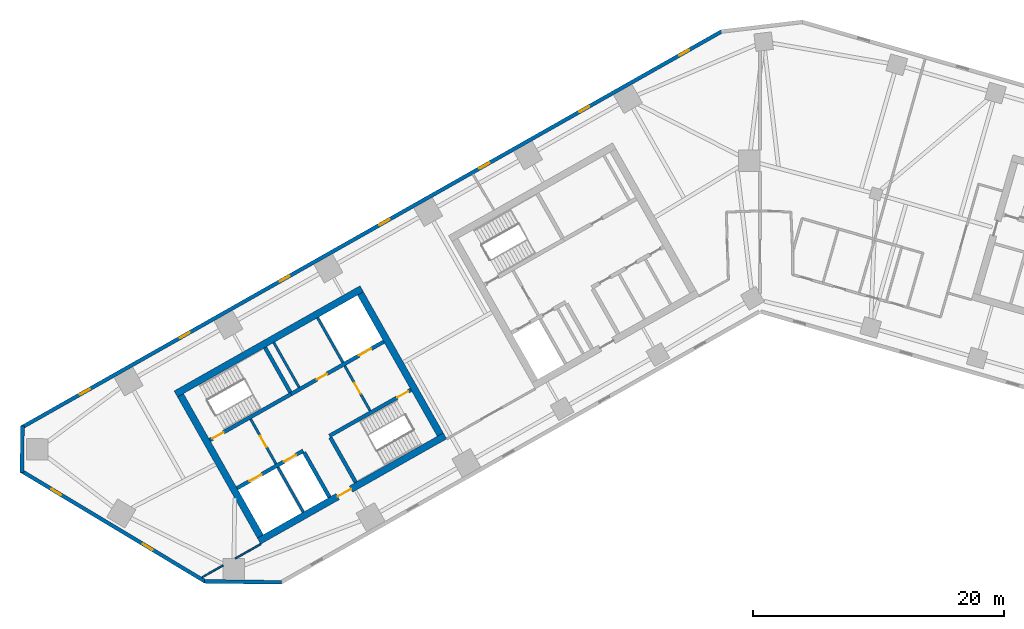
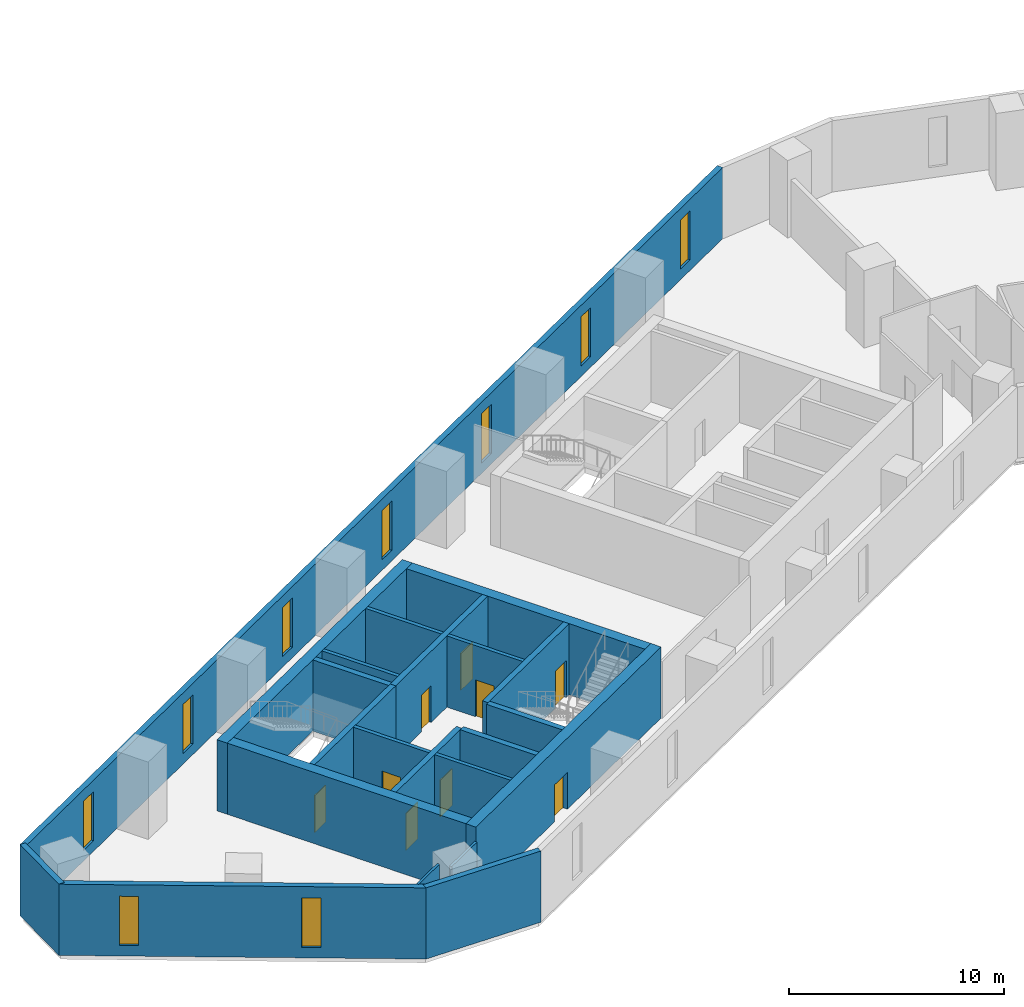
# One storey, part 3 of 10: 22 walls, 9 doors, 9 windows, 18 openings.
"""IFC4 building model written with IfcOpenShell, lengths in metres."""

from ifc_helpers import new_model, si_unit, direction, frame, frame_2d, origin, place, context, subcontext, project, spatial, rectangle, extrude, material, layer, layer_set, type_object, element, fill, save


model = new_model("IFC4")

# Units and contexts
model_context = context("Model", 3, precision=1e-05, world=origin(), true_north=direction((0.0, 1.0)))
body_context = subcontext(model_context, "Body", "Model", "MODEL_VIEW")
ifc_project = project(units=[si_unit("LENGTHUNIT", "METRE"), si_unit("AREAUNIT", "SQUARE_METRE"), si_unit("VOLUMEUNIT", "CUBIC_METRE"), si_unit("PLANEANGLEUNIT", "RADIAN"), si_unit("MASSUNIT", "GRAM", prefix="KILO")], contexts=[model_context])

# Site, building, storey
site_placement = place(None, origin())
site = spatial("IfcSite", under=ifc_project, at=site_placement, CompositionType="ELEMENT")
building_placement = place(site_placement, origin())
building = spatial("IfcBuilding", under=site, at=building_placement, Name="Binnacle Exchange Tower", CompositionType="ELEMENT")
storey_placement = place(building_placement, frame((0.0, 0.0, 145.5)))
storey = spatial("IfcBuildingStorey", under=building, at=storey_placement, Name="L30", CompositionType="ELEMENT", Elevation=145.5)

# Wall, openings, doors
ifc_material_1 = material(Name="Concrete C70/85", Category="concrete")
ifc_layer_1 = layer(ifc_material_1, 0.300048828125)
ifc_layer_set_1 = layer_set([ifc_layer_1], Name="Core wall - front 300")
wall_type_1 = type_object("IfcWallType", Name="Core wall - front 300", PredefinedType="SOLIDWALL", material=ifc_layer_set_1)
wall_1_placement = place(storey_placement, frame((-41.599609375, 33.936279296875, 0.0), z_axis=(0.0, 0.0, 1.0), x_axis=(0.870348557882, 0.492436176365, 0.0)))
wall_1 = element("IfcWall", 1, at=wall_1_placement, inside=storey, type_object=wall_type_1, Name="Core wall CRWA2", PredefinedType="SOLIDWALL", context=body_context, shape_type="SweptSolid", body=[
    extrude(rectangle(XDim=6.050048828125, YDim=0.300048828125, at=frame_2d((3.02490234375, 0.0))), origin(), (0.0, 0.0, 1.0), 4.050048828125),
])
opening_1_placement = place(wall_1_placement, frame((1.14990234375, 0.0, 0.0)))
opening_1 = element("IfcOpeningElement", 2, at=opening_1_placement, cuts=wall_1, Name="Opening LD12", PredefinedType="OPENING", context=body_context, shape_type="SweptSolid", body=[
    extrude(rectangle(XDim=1.10009765625, YDim=2.10009765625, at=frame_2d((0.550048828125, 1.050048828125))), frame((0.0, 0.159912109375, 0.0), z_axis=(0.0, -1.0, 0.0), x_axis=(1.0, 0.0, 0.0)), (0.0, 0.0, 1.0), 0.320068359375),
])
opening_2_placement = place(wall_1_placement, frame((4.300048828125, 0.0, 0.0)))
opening_2 = element("IfcOpeningElement", 3, at=opening_2_placement, cuts=wall_1, Name="Opening LD8", PredefinedType="OPENING", context=body_context, shape_type="SweptSolid", body=[
    extrude(rectangle(XDim=1.10009765625, YDim=2.10009765625, at=frame_2d((0.550048828125, 1.050048828125))), frame((0.0, 0.159912109375, 0.0), z_axis=(0.0, -1.0, 0.0), x_axis=(1.0, 0.0, 0.0)), (0.0, 0.0, 1.0), 0.320068359375),
])
ifc_material_2 = material(Name="Steel door leaf", Category="steel")
door_type_1 = type_object("IfcDoorType", Name="Fire door - lift landing 1100", OperationType="NOTDEFINED", PredefinedType="DOOR", material=ifc_material_2)
door_1_placement = place(opening_1_placement, origin())
door_1 = element("IfcDoor", 4, at=door_1_placement, inside=storey, type_object=door_type_1, Name="Landing door LD12 L30", OperationType="DOUBLE_DOOR_SLIDING", OverallHeight=2.10009765625, OverallWidth=1.10009765625, PredefinedType="DOOR", context=body_context, shape_type="SweptSolid", body=[
    extrude(rectangle(XDim=1.10009765625, YDim=2.10009765625, at=frame_2d((0.550048828125, 1.050048828125))), frame((0.0, 0.02490234375, 0.0), z_axis=(0.0, -1.0, 0.0), x_axis=(1.0, 0.0, 0.0)), (0.0, 0.0, 1.0), 0.050048828125),
])
fill(opening_1, door_1)
door_2_placement = place(opening_2_placement, origin())
door_2 = element("IfcDoor", 5, at=door_2_placement, inside=storey, type_object=door_type_1, Name="Landing door LD8 L30", OperationType="DOUBLE_DOOR_SLIDING", OverallHeight=2.10009765625, OverallWidth=1.10009765625, PredefinedType="DOOR", context=body_context, shape_type="SweptSolid", body=[
    extrude(rectangle(XDim=1.10009765625, YDim=2.10009765625, at=frame_2d((0.550048828125, 1.050048828125))), frame((0.0, 0.02490234375, 0.0), z_axis=(0.0, -1.0, 0.0), x_axis=(1.0, 0.0, 0.0)), (0.0, 0.0, 1.0), 0.050048828125),
])
fill(opening_2, door_2)

wall_2_placement = place(storey_placement, frame((-37.281982421875, 41.4345703125, 0.0), z_axis=(0.0, 0.0, 1.0), x_axis=(0.870359895813, 0.492416136779, 0.0)))
wall_2 = element("IfcWall", 6, at=wall_2_placement, inside=storey, type_object=wall_type_1, Name="Core wall CRWA5", PredefinedType="SOLIDWALL", context=body_context, shape_type="SweptSolid", body=[
    extrude(rectangle(XDim=8.449951171875, YDim=0.300048828125, at=frame_2d((4.22509765625, 0.0))), origin(), (0.0, 0.0, 1.0), 4.050048828125),
])
opening_3_placement = place(wall_2_placement, frame((6.199951171875, 0.0, 0.0)))
opening_3 = element("IfcOpeningElement", 7, at=opening_3_placement, cuts=wall_2, Name="Opening LD13", PredefinedType="OPENING", context=body_context, shape_type="SweptSolid", body=[
    extrude(rectangle(XDim=1.10009765625, YDim=2.10009765625, at=frame_2d((0.550048828125, 1.050048828125))), frame((0.0, 0.159912109375, 0.0), z_axis=(0.0, -1.0, 0.0), x_axis=(1.0, 0.0, 0.0)), (0.0, 0.0, 1.0), 0.320068359375),
])
opening_4_placement = place(wall_2_placement, frame((2.35009765625, 0.0, 0.0)))
opening_4 = element("IfcOpeningElement", 8, at=opening_4_placement, cuts=wall_2, Name="Opening DA10", PredefinedType="OPENING", context=body_context, shape_type="SweptSolid", body=[
    extrude(rectangle(XDim=0.89990234375, YDim=2.10009765625, at=frame_2d((0.449951171875, 1.050048828125))), frame((0.0, 0.159912109375, 0.0), z_axis=(0.0, -1.0, 0.0), x_axis=(1.0, 0.0, 0.0)), (0.0, 0.0, 1.0), 0.320068359375),
])
door_3_placement = place(opening_3_placement, origin())
door_3 = element("IfcDoor", 9, at=door_3_placement, inside=storey, type_object=door_type_1, Name="Landing door LD13 L30", OperationType="DOUBLE_DOOR_SLIDING", OverallHeight=2.10009765625, OverallWidth=1.10009765625, PredefinedType="DOOR", context=body_context, shape_type="SweptSolid", body=[
    extrude(rectangle(XDim=1.10009765625, YDim=2.10009765625, at=frame_2d((0.550048828125, 1.050048828125))), frame((0.0, 0.02490234375, 0.0), z_axis=(0.0, -1.0, 0.0), x_axis=(1.0, 0.0, 0.0)), (0.0, 0.0, 1.0), 0.050048828125),
])
fill(opening_3, door_3)
door_type_2 = type_object("IfcDoorType", Name="Fire door 900", OperationType="NOTDEFINED", PredefinedType="DOOR", material=ifc_material_2)
door_4_placement = place(opening_4_placement, origin())
door_4 = element("IfcDoor", 10, at=door_4_placement, inside=storey, type_object=door_type_2, Name="Core room door LINEN AND SUPPLIES STORE", OperationType="SINGLE_SWING_LEFT", OverallHeight=2.10009765625, OverallWidth=0.89990234375, PredefinedType="DOOR", context=body_context, shape_type="SweptSolid", body=[
    extrude(rectangle(XDim=0.89990234375, YDim=2.10009765625, at=frame_2d((0.449951171875, 1.050048828125))), frame((0.0, 0.02490234375, 0.0), z_axis=(0.0, -1.0, 0.0), x_axis=(1.0, 0.0, 0.0)), (0.0, 0.0, 1.0), 0.050048828125),
])
fill(opening_4, door_4)

# Wall
wall_3_placement = place(storey_placement, frame((-36.260009765625, 36.784912109375, 0.0), z_axis=(0.0, 0.0, 1.0), x_axis=(0.492408451753, -0.87036424366, 0.0)))
element("IfcWall", 11, at=wall_3_placement, inside=storey, type_object=wall_type_1, Name="Core wall CRWA13", PredefinedType="SOLIDWALL", context=body_context, shape_type="SweptSolid", body=[
    extrude(rectangle(XDim=4.099853515625, YDim=0.300048828125, at=frame_2d((2.0498046875, 0.0))), origin(), (0.0, 0.0, 1.0), 4.050048828125),
])

# Wall, opening, door
ifc_layer_2 = layer(ifc_material_1, 0.550048828125)
ifc_layer_set_2 = layer_set([ifc_layer_2], Name="Core wall - outer 550")
wall_type_2 = type_object("IfcWallType", Name="Core wall - outer 550", PredefinedType="SOLIDWALL", material=ifc_layer_set_2)
wall_4_placement = place(storey_placement, frame((-39.85009765625, 29.727294921875, 0.0), z_axis=(0.0, 0.0, 1.0), x_axis=(0.870359753402, 0.492416388494, 0.0)))
wall_4 = element("IfcWall", 12, at=wall_4_placement, inside=storey, type_object=wall_type_2, Name="Core wall CRWA1", PredefinedType="SOLIDWALL", context=body_context, shape_type="SweptSolid", body=[
    extrude(rectangle(XDim=17.0, YDim=0.550048828125, at=frame_2d((8.5, 0.0))), origin(), (0.0, 0.0, 1.0), 4.050048828125),
])
opening_5_placement = place(wall_4_placement, frame((7.199951171875, 0.0, 0.0)))
opening_5 = element("IfcOpeningElement", 13, at=opening_5_placement, cuts=wall_4, Name="Opening DA7", PredefinedType="OPENING", context=body_context, shape_type="SweptSolid", body=[
    extrude(rectangle(XDim=1.199951171875, YDim=2.10009765625, at=frame_2d((0.60009765625, 1.050048828125))), frame((0.0, 0.284912109375, 0.0), z_axis=(0.0, -1.0, 0.0), x_axis=(1.0, 0.0, 0.0)), (0.0, 0.0, 1.0), 0.570068359375),
])
door_type_3 = type_object("IfcDoorType", Name="Fire door 1200", OperationType="NOTDEFINED", PredefinedType="DOOR", material=ifc_material_2)
door_5_placement = place(opening_5_placement, frame((1.199951171875, 0.0, 0.0), z_axis=(0.0, 0.0, 1.0), x_axis=(-1.0, 0.0, 0.0)))
door_5 = element("IfcDoor", 14, at=door_5_placement, inside=storey, type_object=door_type_3, Name="Lift lobby entrance door core A", OperationType="SINGLE_SWING_RIGHT", OverallHeight=2.10009765625, OverallWidth=1.199951171875, PredefinedType="DOOR", context=body_context, shape_type="SweptSolid", body=[
    extrude(rectangle(XDim=1.199951171875, YDim=2.10009765625, at=frame_2d((0.60009765625, 1.050048828125))), frame((0.0, 0.02490234375, 0.0), z_axis=(0.0, -1.0, 0.0), x_axis=(1.0, 0.0, 0.0)), (0.0, 0.0, 1.0), 0.050048828125),
])
fill(opening_5, door_5)

# Walls
wall_5_placement = place(storey_placement, frame((-46.47314453125, 41.43359375, 0.0), z_axis=(0.0, 0.0, 1.0), x_axis=(0.870359753402, 0.492416388494, 0.0)))
element("IfcWall", 15, at=wall_5_placement, inside=storey, type_object=wall_type_2, Name="Core wall CRWA6", PredefinedType="SOLIDWALL", context=body_context, shape_type="SweptSolid", body=[
    extrude(rectangle(XDim=17.0, YDim=0.550048828125, at=frame_2d((8.5, 0.0))), origin(), (0.0, 0.0, 1.0), 4.050048828125),
])
wall_6_placement = place(storey_placement, frame((-46.098388671875, 41.32958984375, 0.0), z_axis=(0.0, 0.0, 1.0), x_axis=(0.492418910884, -0.870358326325, 0.0)))
element("IfcWall", 16, at=wall_6_placement, inside=storey, type_object=wall_type_2, Name="Core wall CRWA7", PredefinedType="SOLIDWALL", context=body_context, shape_type="SweptSolid", body=[
    extrude(rectangle(XDim=12.900146484375, YDim=0.550048828125, at=frame_2d((6.4501953125, 0.0))), origin(), (0.0, 0.0, 1.0), 4.050048828125),
])
wall_7_placement = place(storey_placement, frame((-31.781005859375, 49.429931640625, 0.0), z_axis=(0.0, 0.0, 1.0), x_axis=(0.492427022044, -0.870353737259, 0.0)))
element("IfcWall", 17, at=wall_7_placement, inside=storey, type_object=wall_type_2, Name="Core wall CRWA22", PredefinedType="SOLIDWALL", context=body_context, shape_type="SweptSolid", body=[
    extrude(rectangle(XDim=12.89990234375, YDim=0.550048828125, at=frame_2d((6.449951171875, 0.0))), origin(), (0.0, 0.0, 1.0), 4.050048828125),
])

# Wall, opening, door
ifc_layer_3 = layer(ifc_material_1, 0.300048828125)
ifc_layer_set_3 = layer_set([ifc_layer_3], Name="Core wall - stair 300")
wall_type_3 = type_object("IfcWallType", Name="Core wall - stair 300", PredefinedType="SOLIDWALL", material=ifc_layer_set_3)
wall_8_placement = place(storey_placement, frame((-34.2451171875, 38.097412109375, 0.0), z_axis=(0.0, 0.0, 1.0), x_axis=(0.870360741098, 0.49241464271, 0.0)))
wall_8 = element("IfcWall", 18, at=wall_8_placement, inside=storey, type_object=wall_type_3, Name="Core wall CRWA3", PredefinedType="SOLIDWALL", context=body_context, shape_type="SweptSolid", body=[
    extrude(rectangle(XDim=7.449951171875, YDim=0.300048828125, at=frame_2d((3.72509765625, 0.0))), origin(), (0.0, 0.0, 1.0), 4.050048828125),
])
opening_6_placement = place(wall_8_placement, frame((6.199951171875, 0.0, 0.0)))
opening_6 = element("IfcOpeningElement", 19, at=opening_6_placement, cuts=wall_8, Name="Opening DA2", PredefinedType="OPENING", context=body_context, shape_type="SweptSolid", body=[
    extrude(rectangle(XDim=1.0, YDim=2.10009765625, at=frame_2d((0.5, 1.050048828125))), frame((0.0, 0.159912109375, 0.0), z_axis=(0.0, -1.0, 0.0), x_axis=(1.0, 0.0, 0.0)), (0.0, 0.0, 1.0), 0.320068359375),
])
door_type_4 = type_object("IfcDoorType", Name="Fire door 1000", OperationType="NOTDEFINED", PredefinedType="DOOR", material=ifc_material_2)
door_6_placement = place(opening_6_placement, frame((1.0, 0.0, 0.0), z_axis=(0.0, 0.0, 1.0), x_axis=(-1.0, 0.0, 0.0)))
door_6 = element("IfcDoor", 20, at=door_6_placement, inside=storey, type_object=door_type_4, Name="Stair door ST-A2", OperationType="SINGLE_SWING_LEFT", OverallHeight=2.10009765625, OverallWidth=1.0, PredefinedType="DOOR", context=body_context, shape_type="SweptSolid", body=[
    extrude(rectangle(XDim=1.0, YDim=2.10009765625, at=frame_2d((0.5, 1.050048828125))), frame((0.0, 0.02490234375, 0.0), z_axis=(0.0, -1.0, 0.0), x_axis=(1.0, 0.0, 0.0)), (0.0, 0.0, 1.0), 0.050048828125),
])
fill(opening_6, door_6)

wall_9_placement = place(storey_placement, frame((-43.76611328125, 37.765869140625, 0.0), z_axis=(0.0, 0.0, 1.0), x_axis=(0.870346696097, 0.492439466932, 0.0)))
wall_9 = element("IfcWall", 21, at=wall_9_placement, inside=storey, type_object=wall_type_3, Name="Core wall CRWA4", PredefinedType="SOLIDWALL", context=body_context, shape_type="SweptSolid", body=[
    extrude(rectangle(XDim=7.449951171875, YDim=0.300048828125, at=frame_2d((3.72509765625, 0.0))), origin(), (0.0, 0.0, 1.0), 4.050048828125),
])
opening_7_placement = place(wall_9_placement, frame((0.25, 0.0, 0.0)))
opening_7 = element("IfcOpeningElement", 22, at=opening_7_placement, cuts=wall_9, Name="Opening DA1", PredefinedType="OPENING", context=body_context, shape_type="SweptSolid", body=[
    extrude(rectangle(XDim=1.0, YDim=2.10009765625, at=frame_2d((0.5, 1.050048828125))), frame((0.0, 0.159912109375, 0.0), z_axis=(0.0, -1.0, 0.0), x_axis=(1.0, 0.0, 0.0)), (0.0, 0.0, 1.0), 0.320068359375),
])
door_7_placement = place(opening_7_placement, origin())
door_7 = element("IfcDoor", 23, at=door_7_placement, inside=storey, type_object=door_type_4, Name="Stair door ST-A1", OperationType="SINGLE_SWING_LEFT", OverallHeight=2.10009765625, OverallWidth=1.0, PredefinedType="DOOR", context=body_context, shape_type="SweptSolid", body=[
    extrude(rectangle(XDim=1.0, YDim=2.10009765625, at=frame_2d((0.5, 1.050048828125))), frame((0.0, 0.02490234375, 0.0), z_axis=(0.0, -1.0, 0.0), x_axis=(1.0, 0.0, 0.0)), (0.0, 0.0, 1.0), 0.050048828125),
])
fill(opening_7, door_7)

# Walls
for number, where, z_axis, x_axis, name in (
    (24, (-39.375, 45.133544921875, 0.0), (0.0, 0.0, 1.0), (0.492428039142, -0.870353161807, 0.0), "Core wall CRWA14"),
    (25, (-34.171142578125, 37.966796875, 0.0), (0.0, 0.0, 1.0), (0.492382931784, -0.870378681085, 0.0), "Core wall CRWA16"),
):
    element("IfcWall", number, at=place(storey_placement, frame(where, z_axis=z_axis, x_axis=x_axis)), inside=storey, type_object=wall_type_3, Name=name, PredefinedType="SOLIDWALL", context=body_context, shape_type="SweptSolid", body=[
        extrude(rectangle(XDim=4.10009765625, YDim=0.300048828125, at=frame_2d((2.050048828125, 0.0))), origin(), (0.0, 0.0, 1.0), 4.050048828125),
    ])

# Wall, openings, windows
ifc_material_3 = material(Name="Bronze aluminium cladding", Category="aluminium")
ifc_layer_4 = layer(ifc_material_3, 0.300048828125)
ifc_layer_set_4 = layer_set([ifc_layer_4], Name="External wall - spandrel 300")
wall_type_4 = type_object("IfcWallType", Name="External wall - spandrel 300", PredefinedType="STANDARD", material=ifc_layer_set_4)
wall_10_placement = place(storey_placement, frame((-58.744873046875, 38.763671875, 0.0), z_axis=(0.0, 0.0, 1.0), x_axis=(0.870355811726, 0.492423355453, 0.0)))
wall_10 = element("IfcWall", 26, at=wall_10_placement, inside=storey, type_object=wall_type_4, Name="External wall EW-F03 L30", PredefinedType="STANDARD", context=body_context, shape_type="SweptSolid", body=[
    extrude(rectangle(XDim=64.025390625, YDim=0.300048828125, at=frame_2d((32.0126953125, 0.0))), origin(), (0.0, 0.0, 1.0), 4.050048828125),
])
opening_8_placement = place(wall_10_placement, frame((60.12158203125, 0.0, 0.60009765625)))
opening_8 = element("IfcOpeningElement", 27, at=opening_8_placement, cuts=wall_10, Name="Opening WS2", PredefinedType="OPENING", context=body_context, shape_type="SweptSolid", body=[
    extrude(rectangle(XDim=0.89990234375, YDim=2.800048828125, at=frame_2d((0.449951171875, 1.39990234375))), frame((0.0, 0.159912109375, 0.0), z_axis=(0.0, -1.0, 0.0), x_axis=(1.0, 0.0, 0.0)), (0.0, 0.0, 1.0), 0.320068359375),
])
opening_9_placement = place(wall_10_placement, frame((50.99169921875, 0.0, 0.60009765625)))
opening_9 = element("IfcOpeningElement", 28, at=opening_9_placement, cuts=wall_10, Name="Opening WS2", PredefinedType="OPENING", context=body_context, shape_type="SweptSolid", body=[
    extrude(rectangle(XDim=0.89990234375, YDim=2.800048828125, at=frame_2d((0.449951171875, 1.39990234375))), frame((0.0, 0.159912109375, 0.0), z_axis=(0.0, -1.0, 0.0), x_axis=(1.0, 0.0, 0.0)), (0.0, 0.0, 1.0), 0.320068359375),
])
opening_10_placement = place(wall_10_placement, frame((41.86181640625, 0.0, 0.60009765625)))
opening_10 = element("IfcOpeningElement", 29, at=opening_10_placement, cuts=wall_10, Name="Opening WS2", PredefinedType="OPENING", context=body_context, shape_type="SweptSolid", body=[
    extrude(rectangle(XDim=0.89990234375, YDim=2.800048828125, at=frame_2d((0.449951171875, 1.39990234375))), frame((0.0, 0.159912109375, 0.0), z_axis=(0.0, -1.0, 0.0), x_axis=(1.0, 0.0, 0.0)), (0.0, 0.0, 1.0), 0.320068359375),
])
opening_11_placement = place(wall_10_placement, frame((32.73193359375, 0.0, 0.60009765625)))
opening_11 = element("IfcOpeningElement", 30, at=opening_11_placement, cuts=wall_10, Name="Opening WS2", PredefinedType="OPENING", context=body_context, shape_type="SweptSolid", body=[
    extrude(rectangle(XDim=0.89990234375, YDim=2.800048828125, at=frame_2d((0.449951171875, 1.39990234375))), frame((0.0, 0.159912109375, 0.0), z_axis=(0.0, -1.0, 0.0), x_axis=(1.0, 0.0, 0.0)), (0.0, 0.0, 1.0), 0.320068359375),
])
opening_12_placement = place(wall_10_placement, frame((23.60205078125, 0.0, 0.60009765625)))
opening_12 = element("IfcOpeningElement", 31, at=opening_12_placement, cuts=wall_10, Name="Opening WS2", PredefinedType="OPENING", context=body_context, shape_type="SweptSolid", body=[
    extrude(rectangle(XDim=0.89990234375, YDim=2.800048828125, at=frame_2d((0.449951171875, 1.39990234375))), frame((0.0, 0.159912109375, 0.0), z_axis=(0.0, -1.0, 0.0), x_axis=(1.0, 0.0, 0.0)), (0.0, 0.0, 1.0), 0.320068359375),
])
opening_13_placement = place(wall_10_placement, frame((14.47216796875, 0.0, 0.60009765625)))
opening_13 = element("IfcOpeningElement", 32, at=opening_13_placement, cuts=wall_10, Name="Opening WS2", PredefinedType="OPENING", context=body_context, shape_type="SweptSolid", body=[
    extrude(rectangle(XDim=0.89990234375, YDim=2.800048828125, at=frame_2d((0.449951171875, 1.39990234375))), frame((0.0, 0.159912109375, 0.0), z_axis=(0.0, -1.0, 0.0), x_axis=(1.0, 0.0, 0.0)), (0.0, 0.0, 1.0), 0.320068359375),
])
opening_14_placement = place(wall_10_placement, frame((5.34228515625, 0.0, 0.60009765625)))
opening_14 = element("IfcOpeningElement", 33, at=opening_14_placement, cuts=wall_10, Name="Opening WS2", PredefinedType="OPENING", context=body_context, shape_type="SweptSolid", body=[
    extrude(rectangle(XDim=0.89990234375, YDim=2.800048828125, at=frame_2d((0.449951171875, 1.39990234375))), frame((0.0, 0.159912109375, 0.0), z_axis=(0.0, -1.0, 0.0), x_axis=(1.0, 0.0, 0.0)), (0.0, 0.0, 1.0), 0.320068359375),
])
ifc_material_4 = material(Name="Bronze anodised aluminium frame", Category="aluminium")
window_type = type_object("IfcWindowType", Name="WS2 WINDOW 900x2800", PartitioningType="SINGLE_PANEL", PredefinedType="WINDOW", material=ifc_material_4)
window_1_placement = place(opening_8_placement, origin())
window_1 = element("IfcWindow", 34, at=window_1_placement, inside=storey, type_object=window_type, Name="Window WS2 L30", OverallHeight=2.800048828125, OverallWidth=0.89990234375, PartitioningType="SINGLE_PANEL", PredefinedType="WINDOW", context=body_context, shape_type="SweptSolid", body=[
    extrude(rectangle(XDim=0.89990234375, YDim=2.800048828125, at=frame_2d((0.449951171875, 1.39990234375))), frame((0.0, 0.030029296875, 0.0), z_axis=(0.0, -1.0, 0.0), x_axis=(1.0, 0.0, 0.0)), (0.0, 0.0, 1.0), 0.06005859375),
])
fill(opening_8, window_1)
window_2_placement = place(opening_9_placement, origin())
window_2 = element("IfcWindow", 35, at=window_2_placement, inside=storey, type_object=window_type, Name="Window WS2 L30", OverallHeight=2.800048828125, OverallWidth=0.89990234375, PartitioningType="SINGLE_PANEL", PredefinedType="WINDOW", context=body_context, shape_type="SweptSolid", body=[
    extrude(rectangle(XDim=0.89990234375, YDim=2.800048828125, at=frame_2d((0.449951171875, 1.39990234375))), frame((0.0, 0.030029296875, 0.0), z_axis=(0.0, -1.0, 0.0), x_axis=(1.0, 0.0, 0.0)), (0.0, 0.0, 1.0), 0.06005859375),
])
fill(opening_9, window_2)
window_3_placement = place(opening_10_placement, origin())
window_3 = element("IfcWindow", 36, at=window_3_placement, inside=storey, type_object=window_type, Name="Window WS2 L30", OverallHeight=2.800048828125, OverallWidth=0.89990234375, PartitioningType="SINGLE_PANEL", PredefinedType="WINDOW", context=body_context, shape_type="SweptSolid", body=[
    extrude(rectangle(XDim=0.89990234375, YDim=2.800048828125, at=frame_2d((0.449951171875, 1.39990234375))), frame((0.0, 0.030029296875, 0.0), z_axis=(0.0, -1.0, 0.0), x_axis=(1.0, 0.0, 0.0)), (0.0, 0.0, 1.0), 0.06005859375),
])
fill(opening_10, window_3)
window_4_placement = place(opening_11_placement, origin())
window_4 = element("IfcWindow", 37, at=window_4_placement, inside=storey, type_object=window_type, Name="Window WS2 L30", OverallHeight=2.800048828125, OverallWidth=0.89990234375, PartitioningType="SINGLE_PANEL", PredefinedType="WINDOW", context=body_context, shape_type="SweptSolid", body=[
    extrude(rectangle(XDim=0.89990234375, YDim=2.800048828125, at=frame_2d((0.449951171875, 1.39990234375))), frame((0.0, 0.030029296875, 0.0), z_axis=(0.0, -1.0, 0.0), x_axis=(1.0, 0.0, 0.0)), (0.0, 0.0, 1.0), 0.06005859375),
])
fill(opening_11, window_4)
window_5_placement = place(opening_12_placement, origin())
window_5 = element("IfcWindow", 38, at=window_5_placement, inside=storey, type_object=window_type, Name="Window WS2 L30", OverallHeight=2.800048828125, OverallWidth=0.89990234375, PartitioningType="SINGLE_PANEL", PredefinedType="WINDOW", context=body_context, shape_type="SweptSolid", body=[
    extrude(rectangle(XDim=0.89990234375, YDim=2.800048828125, at=frame_2d((0.449951171875, 1.39990234375))), frame((0.0, 0.030029296875, 0.0), z_axis=(0.0, -1.0, 0.0), x_axis=(1.0, 0.0, 0.0)), (0.0, 0.0, 1.0), 0.06005859375),
])
fill(opening_12, window_5)
window_6_placement = place(opening_13_placement, origin())
window_6 = element("IfcWindow", 39, at=window_6_placement, inside=storey, type_object=window_type, Name="Window WS2 L30", OverallHeight=2.800048828125, OverallWidth=0.89990234375, PartitioningType="SINGLE_PANEL", PredefinedType="WINDOW", context=body_context, shape_type="SweptSolid", body=[
    extrude(rectangle(XDim=0.89990234375, YDim=2.800048828125, at=frame_2d((0.449951171875, 1.39990234375))), frame((0.0, 0.030029296875, 0.0), z_axis=(0.0, -1.0, 0.0), x_axis=(1.0, 0.0, 0.0)), (0.0, 0.0, 1.0), 0.06005859375),
])
fill(opening_13, window_6)
window_7_placement = place(opening_14_placement, origin())
window_7 = element("IfcWindow", 40, at=window_7_placement, inside=storey, type_object=window_type, Name="Window WS2 L30", OverallHeight=2.800048828125, OverallWidth=0.89990234375, PartitioningType="SINGLE_PANEL", PredefinedType="WINDOW", context=body_context, shape_type="SweptSolid", body=[
    extrude(rectangle(XDim=0.89990234375, YDim=2.800048828125, at=frame_2d((0.449951171875, 1.39990234375))), frame((0.0, 0.030029296875, 0.0), z_axis=(0.0, -1.0, 0.0), x_axis=(1.0, 0.0, 0.0)), (0.0, 0.0, 1.0), 0.06005859375),
])
fill(opening_14, window_7)

# Wall
wall_11_placement = place(storey_placement, frame((-58.717041015625, 35.19384765625, 0.0), z_axis=(0.0, 0.0, 1.0), x_axis=(0.013069053407, 0.999914596275, 0.0)))
element("IfcWall", 41, at=wall_11_placement, inside=storey, type_object=wall_type_4, Name="External wall EW-F04 L30", PredefinedType="STANDARD", context=body_context, shape_type="SweptSolid", body=[
    extrude(rectangle(XDim=3.69873046875, YDim=0.300048828125, at=frame_2d((1.849365234375, 0.0))), origin(), (0.0, 0.0, 1.0), 4.050048828125),
])

# Wall, openings, windows
wall_12_placement = place(storey_placement, frame((-44.109375, 26.503662109375, 0.0), z_axis=(0.0, 0.0, 1.0), x_axis=(-0.857169502585, 0.515034410344, 0.0)))
wall_12 = element("IfcWall", 42, at=wall_12_placement, inside=storey, type_object=wall_type_4, Name="External wall EW-F05 L30", PredefinedType="STANDARD", context=body_context, shape_type="SweptSolid", body=[
    extrude(rectangle(XDim=17.126708984375, YDim=0.300048828125, at=frame_2d((8.5634765625, 0.0))), origin(), (0.0, 0.0, 1.0), 4.050048828125),
])
opening_15_placement = place(wall_12_placement, frame((13.403076171875, 0.0, 0.60009765625)))
opening_15 = element("IfcOpeningElement", 43, at=opening_15_placement, cuts=wall_12, Name="Opening WS2", PredefinedType="OPENING", context=body_context, shape_type="SweptSolid", body=[
    extrude(rectangle(XDim=0.89990234375, YDim=2.800048828125, at=frame_2d((0.449951171875, 1.39990234375))), frame((0.0, 0.159912109375, 0.0), z_axis=(0.0, -1.0, 0.0), x_axis=(1.0, 0.0, 0.0)), (0.0, 0.0, 1.0), 0.320068359375),
])
opening_16_placement = place(wall_12_placement, frame((4.903076171875, 0.0, 0.60009765625)))
opening_16 = element("IfcOpeningElement", 44, at=opening_16_placement, cuts=wall_12, Name="Opening WS2", PredefinedType="OPENING", context=body_context, shape_type="SweptSolid", body=[
    extrude(rectangle(XDim=0.89990234375, YDim=2.800048828125, at=frame_2d((0.449951171875, 1.39990234375))), frame((0.0, 0.159912109375, 0.0), z_axis=(0.0, -1.0, 0.0), x_axis=(1.0, 0.0, 0.0)), (0.0, 0.0, 1.0), 0.320068359375),
])
window_8_placement = place(opening_15_placement, origin())
window_8 = element("IfcWindow", 45, at=window_8_placement, inside=storey, type_object=window_type, Name="Window WS2 L30", OverallHeight=2.800048828125, OverallWidth=0.89990234375, PartitioningType="SINGLE_PANEL", PredefinedType="WINDOW", context=body_context, shape_type="SweptSolid", body=[
    extrude(rectangle(XDim=0.89990234375, YDim=2.800048828125, at=frame_2d((0.449951171875, 1.39990234375))), frame((0.0, 0.030029296875, 0.0), z_axis=(0.0, -1.0, 0.0), x_axis=(1.0, 0.0, 0.0)), (0.0, 0.0, 1.0), 0.06005859375),
])
fill(opening_15, window_8)
window_9_placement = place(opening_16_placement, origin())
window_9 = element("IfcWindow", 46, at=window_9_placement, inside=storey, type_object=window_type, Name="Window WS2 L30", OverallHeight=2.800048828125, OverallWidth=0.89990234375, PartitioningType="SINGLE_PANEL", PredefinedType="WINDOW", context=body_context, shape_type="SweptSolid", body=[
    extrude(rectangle(XDim=0.89990234375, YDim=2.800048828125, at=frame_2d((0.449951171875, 1.39990234375))), frame((0.0, 0.030029296875, 0.0), z_axis=(0.0, -1.0, 0.0), x_axis=(1.0, 0.0, 0.0)), (0.0, 0.0, 1.0), 0.06005859375),
])
fill(opening_16, window_9)

# Wall
wall_13_placement = place(storey_placement, frame((-38.057373046875, 26.44482421875, 0.0), z_axis=(0.0, 0.0, 1.0), x_axis=(-0.999914086342, 0.013108010296, 0.0)))
element("IfcWall", 47, at=wall_13_placement, inside=storey, type_object=wall_type_4, Name="External wall EW-F06 L30", PredefinedType="STANDARD", context=body_context, shape_type="SweptSolid", body=[
    extrude(rectangle(XDim=6.127685546875, YDim=0.300048828125, at=frame_2d((3.06396484375, 0.0))), origin(), (0.0, 0.0, 1.0), 4.050048828125),
])

# Wall, opening, door
ifc_material_5 = material(Name="Masonry block wall", Category="masonry")
ifc_layer_5 = layer(ifc_material_5, 0.199951171875)
ifc_layer_set_5 = layer_set([ifc_layer_5], Name="Fire wall - vestibule 200")
wall_type_5 = type_object("IfcWallType", Name="Fire wall - vestibule 200", PredefinedType="PARTITIONING", material=ifc_layer_set_5)
wall_14_placement = place(storey_placement, frame((-40.515625, 39.4326171875, 0.0), z_axis=(0.0, 0.0, 1.0), x_axis=(0.492453559952, -0.87033872216, 0.0)))
wall_14 = element("IfcWall", 48, at=wall_14_placement, inside=storey, type_object=wall_type_5, Name="Core wall CRWA10", PredefinedType="PARTITIONING", context=body_context, shape_type="SweptSolid", body=[
    extrude(rectangle(XDim=4.099853515625, YDim=0.199951171875, at=frame_2d((2.0498046875, 0.0))), origin(), (0.0, 0.0, 1.0), 4.050048828125),
])
opening_17_placement = place(wall_14_placement, frame((1.550048828125, 0.0, 0.0)))
opening_17 = element("IfcOpeningElement", 49, at=opening_17_placement, cuts=wall_14, Name="Opening DA3", PredefinedType="OPENING", context=body_context, shape_type="SweptSolid", body=[
    extrude(rectangle(XDim=1.0, YDim=2.10009765625, at=frame_2d((0.5, 1.050048828125))), frame((0.0, 0.10986328125, 0.0), z_axis=(0.0, -1.0, 0.0), x_axis=(1.0, 0.0, 0.0)), (0.0, 0.0, 1.0), 0.219970703125),
])
door_8_placement = place(opening_17_placement, frame((1.0, 0.0, 0.0), z_axis=(0.0, 0.0, 1.0), x_axis=(-1.0, 0.0, 0.0)))
door_8 = element("IfcDoor", 50, at=door_8_placement, inside=storey, type_object=door_type_4, Name="Vestibule door VEST-W", OperationType="SINGLE_SWING_LEFT", OverallHeight=2.10009765625, OverallWidth=1.0, PredefinedType="DOOR", context=body_context, shape_type="SweptSolid", body=[
    extrude(rectangle(XDim=1.0, YDim=2.10009765625, at=frame_2d((0.5, 1.050048828125))), frame((0.0, 0.02490234375, 0.0), z_axis=(0.0, -1.0, 0.0), x_axis=(1.0, 0.0, 0.0)), (0.0, 0.0, 1.0), 0.050048828125),
])
fill(opening_17, door_8)

wall_15_placement = place(storey_placement, frame((-33.030517578125, 43.66748046875, 0.0), z_axis=(0.0, 0.0, 1.0), x_axis=(0.492408451753, -0.87036424366, 0.0)))
wall_15 = element("IfcWall", 51, at=wall_15_placement, inside=storey, type_object=wall_type_5, Name="Core wall CRWA19", PredefinedType="PARTITIONING", context=body_context, shape_type="SweptSolid", body=[
    extrude(rectangle(XDim=4.099853515625, YDim=0.199951171875, at=frame_2d((2.0498046875, 0.0))), origin(), (0.0, 0.0, 1.0), 4.050048828125),
])
opening_18_placement = place(wall_15_placement, frame((1.550048828125, 0.0, 0.0)))
opening_18 = element("IfcOpeningElement", 52, at=opening_18_placement, cuts=wall_15, Name="Opening DA4", PredefinedType="OPENING", context=body_context, shape_type="SweptSolid", body=[
    extrude(rectangle(XDim=1.0, YDim=2.10009765625, at=frame_2d((0.5, 1.050048828125))), frame((0.0, 0.10986328125, 0.0), z_axis=(0.0, -1.0, 0.0), x_axis=(1.0, 0.0, 0.0)), (0.0, 0.0, 1.0), 0.219970703125),
])
door_9_placement = place(opening_18_placement, origin())
door_9 = element("IfcDoor", 53, at=door_9_placement, inside=storey, type_object=door_type_4, Name="Vestibule door VEST-E", OperationType="SINGLE_SWING_RIGHT", OverallHeight=2.10009765625, OverallWidth=1.0, PredefinedType="DOOR", context=body_context, shape_type="SweptSolid", body=[
    extrude(rectangle(XDim=1.0, YDim=2.10009765625, at=frame_2d((0.5, 1.050048828125))), frame((0.0, 0.02490234375, 0.0), z_axis=(0.0, -1.0, 0.0), x_axis=(1.0, 0.0, 0.0)), (0.0, 0.0, 1.0), 0.050048828125),
])
fill(opening_18, door_9)

# Walls
ifc_material_6 = material(Name="Gypsum partition")
ifc_layer_6 = layer(ifc_material_6, 0.125)
ifc_layer_set_6 = layer_set([ifc_layer_6], Name="Partition 125")
wall_type_6 = type_object("IfcWallType", Name="Partition 125", PredefinedType="PARTITIONING", material=ifc_layer_set_6)
wall_16_placement = place(storey_placement, frame((-44.385986328125, 26.844970703125, 0.0), z_axis=(0.0, 0.0, 1.0), x_axis=(0.870226201187, 0.492652371118, 0.0)))
element("IfcWall", 54, at=wall_16_placement, inside=storey, type_object=wall_type_6, Name="Partition W01", PredefinedType="PARTITIONING", context=body_context, shape_type="SweptSolid", body=[
    extrude(rectangle(XDim=1.9326171875, YDim=0.125, at=frame_2d((0.96630859375, 0.0))), origin(), (0.0, 0.0, 1.0), 4.050048828125),
])
wall_17_placement = place(storey_placement, frame((-41.738037109375, 28.343017578125, 0.0), z_axis=(0.0, 0.0, 1.0), x_axis=(0.870265350095, 0.492583211676, 0.0)))
element("IfcWall", 55, at=wall_17_placement, inside=storey, type_object=wall_type_6, Name="Partition W02", PredefinedType="PARTITIONING", context=body_context, shape_type="SweptSolid", body=[
    extrude(rectangle(XDim=2.324462890625, YDim=0.125, at=frame_2d((1.162109375, 0.0))), origin(), (0.0, 0.0, 1.0), 3.22998046875),
])
ifc_layer_7 = layer(ifc_material_5, 0.199951171875)
ifc_layer_set_7 = layer_set([ifc_layer_7], Name="Riser wall 200")
wall_type_7 = type_object("IfcWallType", Name="Riser wall 200", PredefinedType="SOLIDWALL", material=ifc_layer_set_7)
wall_18_placement = place(storey_placement, frame((-38.6787109375, 45.52734375, 0.0), z_axis=(0.0, 0.0, 1.0), x_axis=(0.492453559952, -0.87033872216, 0.0)))
element("IfcWall", 56, at=wall_18_placement, inside=storey, type_object=wall_type_7, Name="Core wall CRWA15", PredefinedType="SOLIDWALL", context=body_context, shape_type="SweptSolid", body=[
    extrude(rectangle(XDim=4.099853515625, YDim=0.199951171875, at=frame_2d((2.0498046875, 0.0))), origin(), (0.0, 0.0, 1.0), 4.050048828125),
])
ifc_layer_8 = layer(ifc_material_5, 0.199951171875)
ifc_layer_set_8 = layer_set([ifc_layer_8], Name="Shaft wall 200")
wall_type_8 = type_object("IfcWallType", Name="Shaft wall 200", PredefinedType="SOLIDWALL", material=ifc_layer_set_8)
wall_19_placement = place(storey_placement, frame((-38.348876953125, 35.603271484375, 0.0), z_axis=(0.0, 0.0, 1.0), x_axis=(0.492382931784, -0.870378681085, 0.0)))
element("IfcWall", 57, at=wall_19_placement, inside=storey, type_object=wall_type_8, Name="Core wall CRWA9", PredefinedType="SOLIDWALL", context=body_context, shape_type="SweptSolid", body=[
    extrude(rectangle(XDim=4.10009765625, YDim=0.199951171875, at=frame_2d((2.050048828125, 0.0))), origin(), (0.0, 0.0, 1.0), 4.050048828125),
])
wall_20_placement = place(storey_placement, frame((-35.197265625, 47.4970703125, 0.0), z_axis=(0.0, 0.0, 1.0), x_axis=(0.492453559952, -0.87033872216, 0.0)))
element("IfcWall", 58, at=wall_20_placement, inside=storey, type_object=wall_type_8, Name="Core wall CRWA21", PredefinedType="SOLIDWALL", context=body_context, shape_type="SweptSolid", body=[
    extrude(rectangle(XDim=4.099853515625, YDim=0.199951171875, at=frame_2d((2.0498046875, 0.0))), origin(), (0.0, 0.0, 1.0), 4.050048828125),
])

save(model, "model.ifc")
